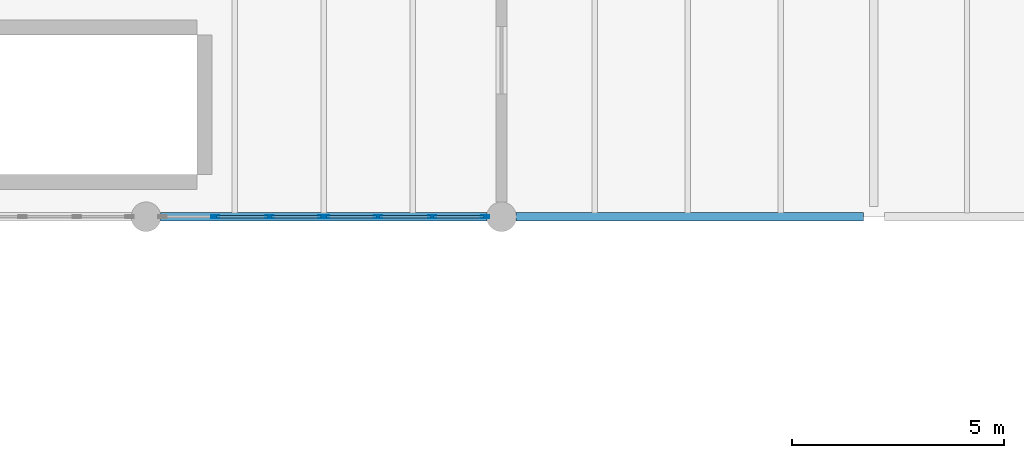
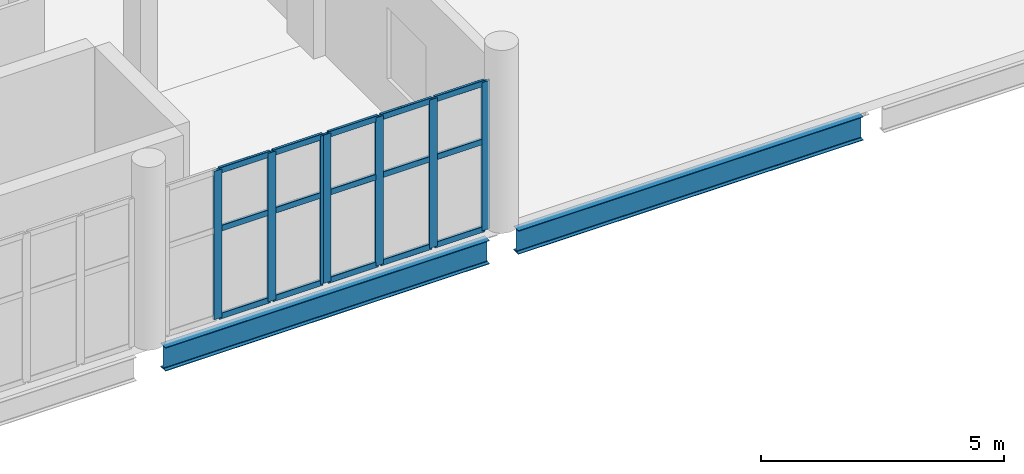
# One storey, part 38 of 74: 22 members, 2 beams, 2 elements without a shape of their own.
"""IFC4 building model written with IfcOpenShell, lengths in metres."""

from ifc_helpers import new_model, si_unit, direction, frame, origin, origin_2d, place, context, subcontext, project, spatial, hollow_rectangle, i_section, extrude, material, material_profile, profile_set, type_object, element, aggregate, save


model = new_model("IFC4")

# Units and contexts
model_context = context("Model", 3, precision=1e-05, world=origin(), true_north=direction((0.0, 1.0)))
body_context = subcontext(model_context, "Body", "Model", "MODEL_VIEW")
ifc_project = project(units=[si_unit("LENGTHUNIT", "METRE"), si_unit("AREAUNIT", "SQUARE_METRE"), si_unit("VOLUMEUNIT", "CUBIC_METRE"), si_unit("PLANEANGLEUNIT", "RADIAN"), si_unit("MASSUNIT", "GRAM", prefix="KILO")], contexts=[model_context])

# Site, building, storey
site_placement = place(None, origin())
site = spatial("IfcSite", under=ifc_project, at=site_placement, CompositionType="ELEMENT")
building_placement = place(site_placement, origin())
building = spatial("IfcBuilding", under=site, at=building_placement, Name="Shengluoqiao Park Theatre", CompositionType="ELEMENT")
storey_placement = place(building_placement, frame((0.0, 0.0, 14.60009765625)))
storey = spatial("IfcBuildingStorey", under=building, at=storey_placement, Name="L03", CompositionType="ELEMENT", Elevation=14.60009765625)

# Curtain wall, members
ifc_material_1 = material(Name="Aluminium 6063-T6", Category="aluminium")
curtain_wall_type = type_object("IfcCurtainWallType", Name="ENV-CW-PROM", PredefinedType="NOTDEFINED", material=ifc_material_1)
curtain_wall_1_placement = place(storey_placement, origin())
curtain_wall_1 = element("IfcCurtainWall", 1, at=curtain_wall_1_placement, inside=storey, type_object=curtain_wall_type, Name="L03 Curtain Wall CW-L03-0089", PredefinedType="NOTDEFINED")
ifc_material_profile_1 = material_profile(ifc_material_1, hollow_rectangle(XDim=0.06494140625, YDim=0.199951171875, WallThickness=0.0048828125, InnerFilletRadius=0.0048828125, OuterFilletRadius=0.010009765625, at=origin_2d()), Name="ALU MULLION 200x65x5")
ifc_profile_set_1 = profile_set([ifc_material_profile_1], Name="Aluminium 6063-T6")
member_type_1 = type_object("IfcMemberType", Name="ENV-MUL-200", PredefinedType="MULLION", material=ifc_profile_set_1)
member_1_placement = place(storey_placement, frame((79.635986328125, 68.39990234375, 0.0), z_axis=(0.0, 0.0, 1.0), x_axis=(0.0, 1.0, 0.0)))
member_1 = element("IfcMember", 2, at=member_1_placement, type_object=member_type_1, Name="CW-04 mullion 2", PredefinedType="MULLION", context=body_context, shape_type="SweptSolid", body=[
    extrude(hollow_rectangle(XDim=0.06494140625, YDim=0.199951171875, WallThickness=0.0048828125, InnerFilletRadius=0.0048828125, OuterFilletRadius=0.010009765625, at=origin_2d()), origin(), (0.0, 0.0, 1.0), 3.73193359375),
])
member_2_placement = place(storey_placement, frame((80.91796875, 68.39990234375, 0.0), z_axis=(0.0, 0.0, 1.0), x_axis=(0.0, 1.0, 0.0)))
member_2 = element("IfcMember", 3, at=member_2_placement, type_object=member_type_1, Name="CW-04 mullion 3", PredefinedType="MULLION", context=body_context, shape_type="SweptSolid", body=[
    extrude(hollow_rectangle(XDim=0.06494140625, YDim=0.199951171875, WallThickness=0.0048828125, InnerFilletRadius=0.0048828125, OuterFilletRadius=0.010009765625, at=origin_2d()), origin(), (0.0, 0.0, 1.0), 3.73193359375),
])
member_3_placement = place(storey_placement, frame((82.16748046875, 68.39990234375, 0.0), z_axis=(0.0, 0.0, 1.0), x_axis=(0.0, 1.0, 0.0)))
member_3 = element("IfcMember", 4, at=member_3_placement, type_object=member_type_1, Name="CW-04 mullion 4", PredefinedType="MULLION", context=body_context, shape_type="SweptSolid", body=[
    extrude(hollow_rectangle(XDim=0.06494140625, YDim=0.199951171875, WallThickness=0.0048828125, InnerFilletRadius=0.0048828125, OuterFilletRadius=0.010009765625, at=origin_2d()), origin(), (0.0, 0.0, 1.0), 3.73193359375),
])

curtain_wall_2_placement = place(storey_placement, origin())
curtain_wall_2 = element("IfcCurtainWall", 5, at=curtain_wall_2_placement, inside=storey, type_object=curtain_wall_type, Name="L03 Curtain Wall CW-L03-0090", PredefinedType="NOTDEFINED")
member_4_placement = place(storey_placement, frame((82.232421875, 68.39990234375, 0.0), z_axis=(0.0, 0.0, 1.0), x_axis=(0.0, 1.0, 0.0)))
member_4 = element("IfcMember", 6, at=member_4_placement, type_object=member_type_1, Name="CW-04 mullion 1", PredefinedType="MULLION", context=body_context, shape_type="SweptSolid", body=[
    extrude(hollow_rectangle(XDim=0.06494140625, YDim=0.199951171875, WallThickness=0.0048828125, InnerFilletRadius=0.0048828125, OuterFilletRadius=0.010009765625, at=origin_2d()), origin(), (0.0, 0.0, 1.0), 3.73193359375),
])
member_5_placement = place(storey_placement, frame((83.48193359375, 68.39990234375, 0.0), z_axis=(0.0, 0.0, 1.0), x_axis=(0.0, 1.0, 0.0)))
member_5 = element("IfcMember", 7, at=member_5_placement, type_object=member_type_1, Name="CW-04 mullion 2", PredefinedType="MULLION", context=body_context, shape_type="SweptSolid", body=[
    extrude(hollow_rectangle(XDim=0.06494140625, YDim=0.199951171875, WallThickness=0.0048828125, InnerFilletRadius=0.0048828125, OuterFilletRadius=0.010009765625, at=origin_2d()), origin(), (0.0, 0.0, 1.0), 3.73193359375),
])
member_6_placement = place(storey_placement, frame((84.763916015625, 68.39990234375, 0.0), z_axis=(0.0, 0.0, 1.0), x_axis=(0.0, 1.0, 0.0)))
member_6 = element("IfcMember", 8, at=member_6_placement, type_object=member_type_1, Name="CW-04 mullion 3", PredefinedType="MULLION", context=body_context, shape_type="SweptSolid", body=[
    extrude(hollow_rectangle(XDim=0.06494140625, YDim=0.199951171875, WallThickness=0.0048828125, InnerFilletRadius=0.0048828125, OuterFilletRadius=0.010009765625, at=origin_2d()), origin(), (0.0, 0.0, 1.0), 3.73193359375),
])
member_7_placement = place(storey_placement, frame((86.013427734375, 68.39990234375, 0.0), z_axis=(0.0, 0.0, 1.0), x_axis=(0.0, 1.0, 0.0)))
member_7 = element("IfcMember", 9, at=member_7_placement, type_object=member_type_1, Name="CW-04 mullion 4", PredefinedType="MULLION", context=body_context, shape_type="SweptSolid", body=[
    extrude(hollow_rectangle(XDim=0.06494140625, YDim=0.199951171875, WallThickness=0.0048828125, InnerFilletRadius=0.0048828125, OuterFilletRadius=0.010009765625, at=origin_2d()), origin(), (0.0, 0.0, 1.0), 3.73193359375),
])

# Member
ifc_material_profile_2 = material_profile(ifc_material_1, hollow_rectangle(XDim=0.06494140625, YDim=0.14990234375, WallThickness=0.00390625, InnerFilletRadius=0.00390625, OuterFilletRadius=0.008056640625, at=origin_2d()), Name="ALU TRANSOM 150x65x4")
ifc_profile_set_2 = profile_set([ifc_material_profile_2], Name="Aluminium 6063-T6")
member_type_2 = type_object("IfcMemberType", Name="ENV-TRN-150", PredefinedType="USERDEFINED", material=ifc_profile_set_2)
member_8_placement = place(storey_placement, frame((79.66845703125, 68.39990234375, 0.032470703125), z_axis=(1.0, 0.0, 0.0), x_axis=(0.0, 1.0, 0.0)))
member_8 = element("IfcMember", 10, at=member_8_placement, type_object=member_type_2, Name="CW-04 transom 2.1", ObjectType="TRANSOM", PredefinedType="USERDEFINED", context=body_context, shape_type="SweptSolid", body=[
    extrude(hollow_rectangle(XDim=0.06494140625, YDim=0.14990234375, WallThickness=0.00390625, InnerFilletRadius=0.00390625, OuterFilletRadius=0.008056640625, at=origin_2d()), origin(), (0.0, 0.0, 1.0), 1.217041015625),
])

member_9_placement = place(storey_placement, frame((79.66845703125, 68.39990234375, 2.239013671875), z_axis=(1.0, 0.0, 0.0), x_axis=(0.0, 1.0, 0.0)))
member_9 = element("IfcMember", 11, at=member_9_placement, type_object=member_type_2, Name="CW-04 transom 2.2", ObjectType="TRANSOM", PredefinedType="USERDEFINED", context=body_context, shape_type="SweptSolid", body=[
    extrude(hollow_rectangle(XDim=0.06494140625, YDim=0.14990234375, WallThickness=0.00390625, InnerFilletRadius=0.00390625, OuterFilletRadius=0.008056640625, at=origin_2d()), origin(), (0.0, 0.0, 1.0), 1.217041015625),
])

member_10_placement = place(storey_placement, frame((79.66845703125, 68.39990234375, 3.699462890625), z_axis=(1.0, 0.0, 0.0), x_axis=(0.0, 1.0, 0.0)))
member_10 = element("IfcMember", 12, at=member_10_placement, type_object=member_type_2, Name="CW-04 transom 2.3", ObjectType="TRANSOM", PredefinedType="USERDEFINED", context=body_context, shape_type="SweptSolid", body=[
    extrude(hollow_rectangle(XDim=0.06494140625, YDim=0.14990234375, WallThickness=0.00390625, InnerFilletRadius=0.00390625, OuterFilletRadius=0.008056640625, at=origin_2d()), origin(), (0.0, 0.0, 1.0), 1.217041015625),
])

member_11_placement = place(storey_placement, frame((80.950439453125, 68.39990234375, 0.032470703125), z_axis=(1.0, 0.0, 0.0), x_axis=(0.0, 1.0, 0.0)))
member_11 = element("IfcMember", 13, at=member_11_placement, type_object=member_type_2, Name="CW-04 transom 3.1", ObjectType="TRANSOM", PredefinedType="USERDEFINED", context=body_context, shape_type="SweptSolid", body=[
    extrude(hollow_rectangle(XDim=0.06494140625, YDim=0.14990234375, WallThickness=0.00390625, InnerFilletRadius=0.00390625, OuterFilletRadius=0.008056640625, at=origin_2d()), origin(), (0.0, 0.0, 1.0), 1.1845703125),
])

member_12_placement = place(storey_placement, frame((80.950439453125, 68.39990234375, 2.239013671875), z_axis=(1.0, 0.0, 0.0), x_axis=(0.0, 1.0, 0.0)))
member_12 = element("IfcMember", 14, at=member_12_placement, type_object=member_type_2, Name="CW-04 transom 3.2", ObjectType="TRANSOM", PredefinedType="USERDEFINED", context=body_context, shape_type="SweptSolid", body=[
    extrude(hollow_rectangle(XDim=0.06494140625, YDim=0.14990234375, WallThickness=0.00390625, InnerFilletRadius=0.00390625, OuterFilletRadius=0.008056640625, at=origin_2d()), origin(), (0.0, 0.0, 1.0), 1.1845703125),
])

member_13_placement = place(storey_placement, frame((80.950439453125, 68.39990234375, 3.699462890625), z_axis=(1.0, 0.0, 0.0), x_axis=(0.0, 1.0, 0.0)))
member_13 = element("IfcMember", 15, at=member_13_placement, type_object=member_type_2, Name="CW-04 transom 3.3", ObjectType="TRANSOM", PredefinedType="USERDEFINED", context=body_context, shape_type="SweptSolid", body=[
    extrude(hollow_rectangle(XDim=0.06494140625, YDim=0.14990234375, WallThickness=0.00390625, InnerFilletRadius=0.00390625, OuterFilletRadius=0.008056640625, at=origin_2d()), origin(), (0.0, 0.0, 1.0), 1.1845703125),
])

aggregate(curtain_wall_1, [member_1, member_2, member_3, member_8, member_9, member_10, member_11, member_12, member_13])

member_14_placement = place(storey_placement, frame((82.264892578125, 68.39990234375, 0.032470703125), z_axis=(1.0, 0.0, 0.0), x_axis=(0.0, 1.0, 0.0)))
member_14 = element("IfcMember", 16, at=member_14_placement, type_object=member_type_2, Name="CW-04 transom 1.1", ObjectType="TRANSOM", PredefinedType="USERDEFINED", context=body_context, shape_type="SweptSolid", body=[
    extrude(hollow_rectangle(XDim=0.06494140625, YDim=0.14990234375, WallThickness=0.00390625, InnerFilletRadius=0.00390625, OuterFilletRadius=0.008056640625, at=origin_2d()), origin(), (0.0, 0.0, 1.0), 1.1845703125),
])

member_15_placement = place(storey_placement, frame((82.264892578125, 68.39990234375, 2.239013671875), z_axis=(1.0, 0.0, 0.0), x_axis=(0.0, 1.0, 0.0)))
member_15 = element("IfcMember", 17, at=member_15_placement, type_object=member_type_2, Name="CW-04 transom 1.2", ObjectType="TRANSOM", PredefinedType="USERDEFINED", context=body_context, shape_type="SweptSolid", body=[
    extrude(hollow_rectangle(XDim=0.06494140625, YDim=0.14990234375, WallThickness=0.00390625, InnerFilletRadius=0.00390625, OuterFilletRadius=0.008056640625, at=origin_2d()), origin(), (0.0, 0.0, 1.0), 1.1845703125),
])

member_16_placement = place(storey_placement, frame((82.264892578125, 68.39990234375, 3.699462890625), z_axis=(1.0, 0.0, 0.0), x_axis=(0.0, 1.0, 0.0)))
member_16 = element("IfcMember", 18, at=member_16_placement, type_object=member_type_2, Name="CW-04 transom 1.3", ObjectType="TRANSOM", PredefinedType="USERDEFINED", context=body_context, shape_type="SweptSolid", body=[
    extrude(hollow_rectangle(XDim=0.06494140625, YDim=0.14990234375, WallThickness=0.00390625, InnerFilletRadius=0.00390625, OuterFilletRadius=0.008056640625, at=origin_2d()), origin(), (0.0, 0.0, 1.0), 1.1845703125),
])

member_17_placement = place(storey_placement, frame((83.514404296875, 68.39990234375, 0.032470703125), z_axis=(1.0, 0.0, 0.0), x_axis=(0.0, 1.0, 0.0)))
member_17 = element("IfcMember", 19, at=member_17_placement, type_object=member_type_2, Name="CW-04 transom 2.1", ObjectType="TRANSOM", PredefinedType="USERDEFINED", context=body_context, shape_type="SweptSolid", body=[
    extrude(hollow_rectangle(XDim=0.06494140625, YDim=0.14990234375, WallThickness=0.00390625, InnerFilletRadius=0.00390625, OuterFilletRadius=0.008056640625, at=origin_2d()), origin(), (0.0, 0.0, 1.0), 1.217041015625),
])

member_18_placement = place(storey_placement, frame((83.514404296875, 68.39990234375, 2.239013671875), z_axis=(1.0, 0.0, 0.0), x_axis=(0.0, 1.0, 0.0)))
member_18 = element("IfcMember", 20, at=member_18_placement, type_object=member_type_2, Name="CW-04 transom 2.2", ObjectType="TRANSOM", PredefinedType="USERDEFINED", context=body_context, shape_type="SweptSolid", body=[
    extrude(hollow_rectangle(XDim=0.06494140625, YDim=0.14990234375, WallThickness=0.00390625, InnerFilletRadius=0.00390625, OuterFilletRadius=0.008056640625, at=origin_2d()), origin(), (0.0, 0.0, 1.0), 1.217041015625),
])

member_19_placement = place(storey_placement, frame((83.514404296875, 68.39990234375, 3.699462890625), z_axis=(1.0, 0.0, 0.0), x_axis=(0.0, 1.0, 0.0)))
member_19 = element("IfcMember", 21, at=member_19_placement, type_object=member_type_2, Name="CW-04 transom 2.3", ObjectType="TRANSOM", PredefinedType="USERDEFINED", context=body_context, shape_type="SweptSolid", body=[
    extrude(hollow_rectangle(XDim=0.06494140625, YDim=0.14990234375, WallThickness=0.00390625, InnerFilletRadius=0.00390625, OuterFilletRadius=0.008056640625, at=origin_2d()), origin(), (0.0, 0.0, 1.0), 1.217041015625),
])

member_20_placement = place(storey_placement, frame((84.79638671875, 68.39990234375, 0.032470703125), z_axis=(1.0, 0.0, 0.0), x_axis=(0.0, 1.0, 0.0)))
member_20 = element("IfcMember", 22, at=member_20_placement, type_object=member_type_2, Name="CW-04 transom 3.1", ObjectType="TRANSOM", PredefinedType="USERDEFINED", context=body_context, shape_type="SweptSolid", body=[
    extrude(hollow_rectangle(XDim=0.06494140625, YDim=0.14990234375, WallThickness=0.00390625, InnerFilletRadius=0.00390625, OuterFilletRadius=0.008056640625, at=origin_2d()), origin(), (0.0, 0.0, 1.0), 1.1845703125),
])

member_21_placement = place(storey_placement, frame((84.79638671875, 68.39990234375, 2.239013671875), z_axis=(1.0, 0.0, 0.0), x_axis=(0.0, 1.0, 0.0)))
member_21 = element("IfcMember", 23, at=member_21_placement, type_object=member_type_2, Name="CW-04 transom 3.2", ObjectType="TRANSOM", PredefinedType="USERDEFINED", context=body_context, shape_type="SweptSolid", body=[
    extrude(hollow_rectangle(XDim=0.06494140625, YDim=0.14990234375, WallThickness=0.00390625, InnerFilletRadius=0.00390625, OuterFilletRadius=0.008056640625, at=origin_2d()), origin(), (0.0, 0.0, 1.0), 1.1845703125),
])

member_22_placement = place(storey_placement, frame((84.79638671875, 68.39990234375, 3.699462890625), z_axis=(1.0, 0.0, 0.0), x_axis=(0.0, 1.0, 0.0)))
member_22 = element("IfcMember", 24, at=member_22_placement, type_object=member_type_2, Name="CW-04 transom 3.3", ObjectType="TRANSOM", PredefinedType="USERDEFINED", context=body_context, shape_type="SweptSolid", body=[
    extrude(hollow_rectangle(XDim=0.06494140625, YDim=0.14990234375, WallThickness=0.00390625, InnerFilletRadius=0.00390625, OuterFilletRadius=0.008056640625, at=origin_2d()), origin(), (0.0, 0.0, 1.0), 1.1845703125),
])

aggregate(curtain_wall_2, [member_4, member_5, member_6, member_7, member_14, member_15, member_16, member_17, member_18, member_19, member_20, member_21, member_22])

# Beams
ifc_material_2 = material(Name="Steel Q355", Category="steel")
ifc_material_profile_3 = material_profile(ifc_material_2, i_section(OverallWidth=0.198974609375, OverallDepth=0.595947265625, WebThickness=0.010009765625, FlangeThickness=0.014892578125, FilletRadius=0.02001953125, at=origin_2d()), Name="HN 596x199x10x15")
ifc_profile_set_3 = profile_set([ifc_material_profile_3], Name="Steel Q355")
beam_type = type_object("IfcBeamType", Name="STR-BM-SP-HN596", PredefinedType="SPANDREL", material=ifc_profile_set_3)
beam_1_placement = place(storey_placement, frame((78.343994140625, 68.39990234375, -0.5380859375), z_axis=(1.0, 0.0, 0.0), x_axis=(0.0, 1.0, 0.0)))
element("IfcBeam", 25, at=beam_1_placement, inside=storey, type_object=beam_type, Name="L03 Primary Girder 01357", PredefinedType="SPANDREL", context=body_context, shape_type="SweptSolid", body=[
    extrude(i_section(OverallWidth=0.198974609375, OverallDepth=0.595947265625, WebThickness=0.010009765625, FlangeThickness=0.014892578125, FilletRadius=0.02001953125, at=origin_2d()), origin(), (0.0, 0.0, 1.0), 7.7119140625),
])
beam_2_placement = place(storey_placement, frame((86.743896484375, 68.39990234375, -0.5380859375), z_axis=(1.0, 0.0, 0.0), x_axis=(0.0, 1.0, 0.0)))
element("IfcBeam", 26, at=beam_2_placement, inside=storey, type_object=beam_type, Name="L03 Primary Girder 01854", PredefinedType="SPANDREL", context=body_context, shape_type="SweptSolid", body=[
    extrude(i_section(OverallWidth=0.198974609375, OverallDepth=0.595947265625, WebThickness=0.010009765625, FlangeThickness=0.014892578125, FilletRadius=0.02001953125, at=origin_2d()), origin(), (0.0, 0.0, 1.0), 8.2080078125),
])

save(model, "model.ifc")
